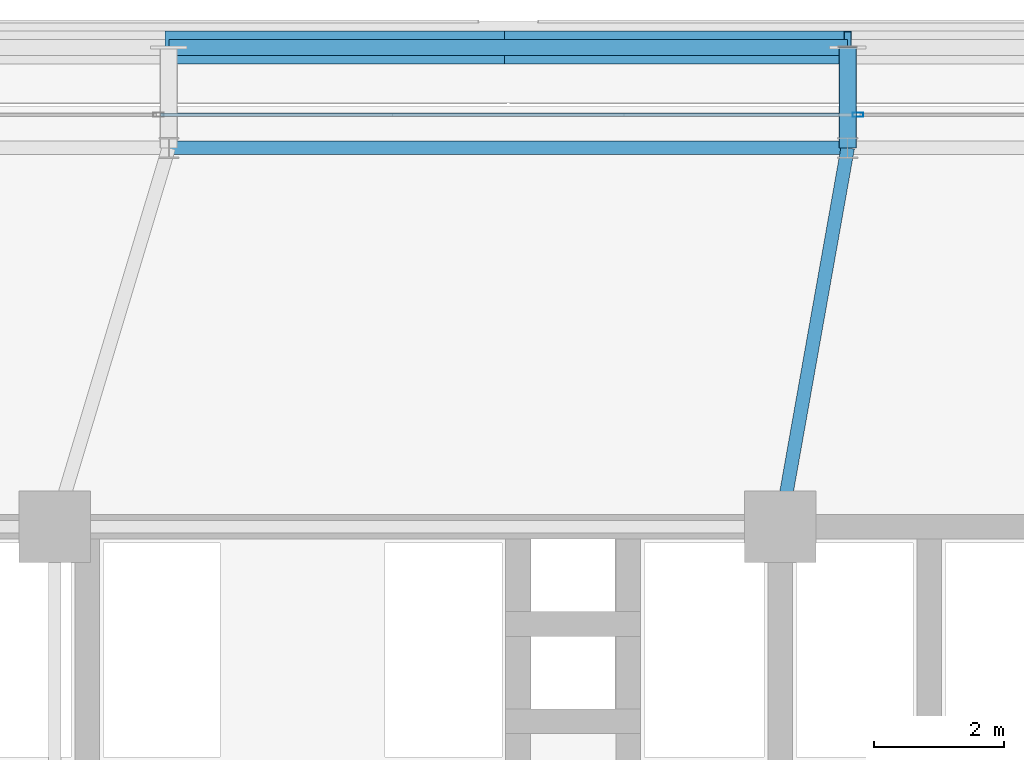
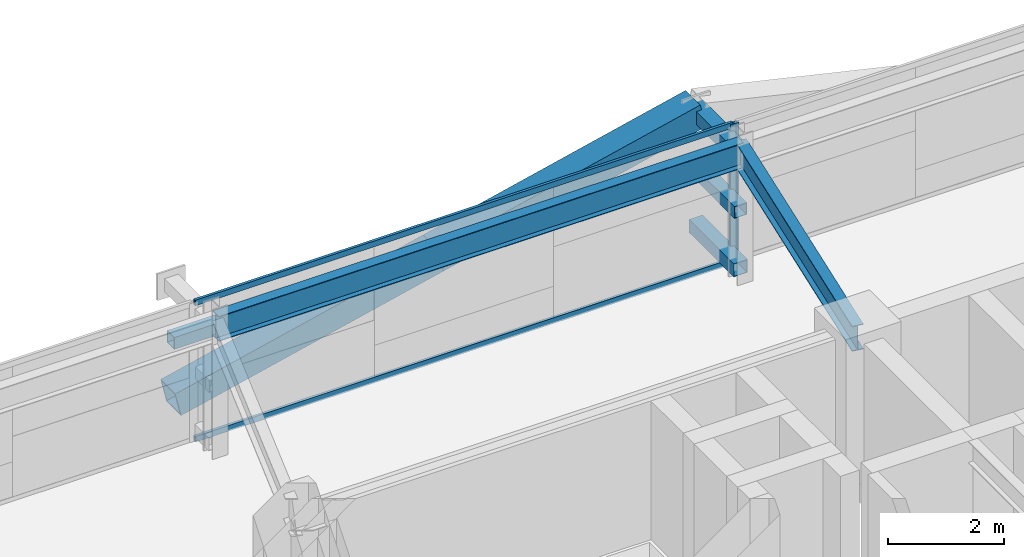
# One storey, part 28 of 56: 9 members, 2 beams, 1 element without a shape of its own.
"""IFC4 building model written with IfcOpenShell, lengths in metres."""

import ifcopenshell
import ifcopenshell.guid

model = None  # the IFC model being written
_history = None  # IfcOwnerHistory: only IFC2X3 demands one
_inside = {}  # id of a spatial element -> (the spatial element, [elements in it])
_under = {}  # id of a project, library or spatial element -> (it, [spatial elements below it])
_declared = {}  # id of a project -> (the project, [libraries it declares])
_typed = {}  # id of a type object -> (the type object, [elements of that type])
_made_of = {}  # id of a material, layer set ... -> (it, [elements and type objects made of it])


def new_model(schema):
    """Start an empty IFC model of exactly this schema.

    Asked for "IFC4X3", IfcOpenShell would pick the latest addendum, in which some entities
    have other attributes; the version numbers below select the first issue.
    IFC2X3 requires an IfcOwnerHistory on every rooted entity: one is made here for all.
    """
    global model, _history
    if schema == "IFC4X3":
        model = ifcopenshell.file(schema_version=(4, 3, 0, 0))
    else:
        model = ifcopenshell.file(schema=schema)
    _inside.clear()
    _under.clear()
    _declared.clear()
    _typed.clear()
    _made_of.clear()
    _history = None
    if model.schema == "IFC2X3":
        org = make("IfcOrganization", Name="unknown")
        user = make(
            "IfcPersonAndOrganization",
            ThePerson=make("IfcPerson", FamilyName="unknown"),
            TheOrganization=org,
        )
        app = make(
            "IfcApplication",
            ApplicationDeveloper=org,
            Version="unknown",
            ApplicationFullName="unknown",
            ApplicationIdentifier="unknown",
        )
        _history = make(
            "IfcOwnerHistory",
            OwningUser=user,
            OwningApplication=app,
            ChangeAction="ADDED",
            CreationDate=0,
        )
    return model


def make(cls, **values):
    """One entity of the class cls with the attributes given. An attribute that is None is left unset."""
    return model.create_entity(
        cls, **{name: value for name, value in values.items() if value is not None}
    )


def rooted(cls, **values):
    """An entity with a GlobalId (a new one), such as an element, a storey or a relation."""
    return make(cls, GlobalId=ifcopenshell.guid.new(), OwnerHistory=_history, **values)


def si_unit(unit_type, name, prefix=None):
    """IfcSIUnit, for example si_unit("LENGTHUNIT", "METRE", prefix="MILLI")."""
    return make("IfcSIUnit", UnitType=unit_type, Prefix=prefix, Name=name)


def assignment(units):
    """IfcUnitAssignment: the units of a project."""
    return None if units is None else make("IfcUnitAssignment", Units=units)


def point(xyz):
    """IfcCartesianPoint."""
    return None if xyz is None else make("IfcCartesianPoint", Coordinates=xyz)


def direction(xyz):
    """IfcDirection."""
    return None if xyz is None else make("IfcDirection", DirectionRatios=xyz)


def frame(location, z_axis=None, x_axis=None):
    """IfcAxis2Placement3D, a coordinate frame: its origin and axes. An axis left out is left unset."""
    return make(
        "IfcAxis2Placement3D",
        Location=point(location),
        Axis=direction(z_axis),
        RefDirection=direction(x_axis),
    )


def frame_2d(location, x_axis=None):
    """IfcAxis2Placement2D, a coordinate frame in the plane: its origin and x axis."""
    return make(
        "IfcAxis2Placement2D", Location=point(location), RefDirection=direction(x_axis)
    )


def origin():
    """The frame at (0, 0, 0) with its axes left unset."""
    return frame((0.0, 0.0, 0.0))


def origin_2d():
    """The frame at (0, 0) in the plane with its x axis left unset."""
    return frame_2d((0.0, 0.0))


def place(relative_to, where):
    """IfcLocalPlacement: puts the frame where relative to a parent placement (None: the world)."""
    return make(
        "IfcLocalPlacement", PlacementRelTo=relative_to, RelativePlacement=where
    )


def context(
    kind, dimensions, precision=None, world=None, true_north=None, identifier=None
):
    """IfcGeometricRepresentationContext, for example the 3D "Model" context."""
    return make(
        "IfcGeometricRepresentationContext",
        ContextIdentifier=identifier,
        ContextType=kind,
        CoordinateSpaceDimension=dimensions,
        Precision=precision,
        WorldCoordinateSystem=world,
        TrueNorth=true_north,
    )


def subcontext(parent, identifier, kind, view, scale=None):
    """IfcGeometricRepresentationSubContext, for example "Body" below "Model"."""
    return make(
        "IfcGeometricRepresentationSubContext",
        ContextIdentifier=identifier,
        ContextType=kind,
        ParentContext=parent,
        TargetScale=scale,
        TargetView=view,
    )


def project(units=None, contexts=None):
    """IfcProject with its units and contexts."""
    return rooted(
        "IfcProject",
        Name="project",
        RepresentationContexts=contexts,
        UnitsInContext=assignment(units),
    )


def spatial(cls, under=None, at=None, **own):
    """A site, building, storey or space (cls), placed at a placement, below another one or the project."""
    s = rooted(cls, ObjectPlacement=at, **own)
    if under is not None:
        _under.setdefault(under.id(), (under, []))[1].append(s)
    return s


def profile(cls, at=None, kind="AREA", **sizes):
    """A parametric profile (cls). Its sizes go by their IFC names, for example OverallWidth=200.0."""
    return make(cls, ProfileType=kind, Position=at, **sizes)


def hollow_rectangle(**sizes):
    """IfcRectangleHollowProfileDef."""
    return profile("IfcRectangleHollowProfileDef", **sizes)


def i_section(**sizes):
    """IfcIShapeProfileDef."""
    return profile("IfcIShapeProfileDef", **sizes)


def extrude(swept, where, along, depth):
    """IfcExtrudedAreaSolid: the profile swept, set in the frame where, extruded along a direction by depth."""
    return make(
        "IfcExtrudedAreaSolid",
        SweptArea=swept,
        Position=where,
        ExtrudedDirection=direction(along),
        Depth=depth,
    )


def shape(context_of_items, identifier, shape_type, items):
    """IfcShapeRepresentation: the items that make up one representation, for example the "Body"."""
    return make(
        "IfcShapeRepresentation",
        ContextOfItems=context_of_items,
        RepresentationIdentifier=identifier,
        RepresentationType=shape_type,
        Items=items,
    )


def source(mapping_origin, context_of_items, identifier, shape_type, items):
    """IfcRepresentationMap: a shape defined once, which mapped items show again and again."""
    return make(
        "IfcRepresentationMap",
        MappingOrigin=mapping_origin,
        MappedRepresentation=shape(context_of_items, identifier, shape_type, items),
    )


def transform(
    local_origin,
    x_axis=None,
    y_axis=None,
    z_axis=None,
    scale=None,
    scale2=None,
    scale3=None,
    uniform=True,
):
    """IfcCartesianTransformationOperator3D, or its non-uniform kind. x_axis, y_axis, z_axis: its Axis1, 2, 3."""
    if uniform:
        return make(
            "IfcCartesianTransformationOperator3D",
            Axis1=direction(x_axis),
            Axis2=direction(y_axis),
            LocalOrigin=point(local_origin),
            Scale=scale,
            Axis3=direction(z_axis),
        )
    return make(
        "IfcCartesianTransformationOperator3DnonUniform",
        Axis1=direction(x_axis),
        Axis2=direction(y_axis),
        LocalOrigin=point(local_origin),
        Scale=scale,
        Axis3=direction(z_axis),
        Scale2=scale2,
        Scale3=scale3,
    )


def mapped(mapping_source, mapping_target):
    """IfcMappedItem: shows the shape of a source again, moved by a transform."""
    return make(
        "IfcMappedItem", MappingSource=mapping_source, MappingTarget=mapping_target
    )


def material(Name=None, Category=None):
    """IfcMaterial."""
    return make("IfcMaterial", Name=Name, Category=Category)


def layer(
    of_material, thickness, ventilated=None, Name=None, Category=None, Priority=None
):
    """IfcMaterialLayer: one layer of a wall or slab, of a material (None: an air gap)."""
    return make(
        "IfcMaterialLayer",
        Material=of_material,
        LayerThickness=thickness,
        IsVentilated=ventilated,
        Name=Name,
        Category=Category,
        Priority=Priority,
    )


def layer_set(layers, Name=None):
    """IfcMaterialLayerSet."""
    return make("IfcMaterialLayerSet", MaterialLayers=layers, LayerSetName=Name)


def material_profile(
    of_material, cross_section, Name=None, Category=None, Priority=None
):
    """IfcMaterialProfile: a cross section and its material."""
    return make(
        "IfcMaterialProfile",
        Name=Name,
        Material=of_material,
        Profile=cross_section,
        Priority=Priority,
        Category=Category,
    )


def profile_set(profiles, Name=None, composite=None):
    """IfcMaterialProfileSet."""
    return make(
        "IfcMaterialProfileSet",
        Name=Name,
        MaterialProfiles=profiles,
        CompositeProfile=composite,
    )


def made_of(thing, what):
    """Note that an element or type object is made of a material, layer set ...; save() writes the relation."""
    if what is not None:
        _made_of.setdefault(what.id(), (what, []))[1].append(thing)
    return thing


def type_object(cls, material=None, **own):
    """A type object (cls), such as IfcWallType, which elements share."""
    return made_of(rooted(cls, **own), material)


def element(
    cls,
    number,
    at=None,
    inside=None,
    cuts=None,
    type_object=None,
    material=None,
    context=None,
    identifier="Body",
    shape_type=None,
    held_by="IfcProductDefinitionShape",
    body=None,
    shapes=None,
    **own,
):
    """One element of the class cls, such as IfcWall. Its Tag is "e" and its number.

    at: its placement. inside: the storey or other place that contains it. cuts: it is an
    opening in that element (IfcRelVoidsElement). A single representation is given by context,
    identifier, shape_type and body (its items); several are given by shapes. held_by: the class
    of the entity that holds the representations. save() writes the other relations.
    """
    e = rooted(cls, Tag="e%d" % number, ObjectPlacement=at, **own)
    if body is not None:
        shapes = [shape(context, identifier, shape_type, body)]
    if shapes is not None:
        e.Representation = make(held_by, Representations=shapes)
    if inside is not None:
        _inside.setdefault(inside.id(), (inside, []))[1].append(e)
    if cuts is not None:
        rooted(
            "IfcRelVoidsElement", RelatingBuildingElement=cuts, RelatedOpeningElement=e
        )
    if type_object is not None:
        _typed.setdefault(type_object.id(), (type_object, []))[1].append(e)
    return made_of(e, material)


def aggregate(whole, parts):
    """IfcRelAggregates: a whole, such as a stair, and the parts it consists of."""
    return rooted("IfcRelAggregates", RelatingObject=whole, RelatedObjects=parts)


def save(model, path):
    """Write the relations noted so far, then the file.

    IfcRelAggregates (storeys below a building ...), IfcRelContainedInSpatialStructure (elements
    in a storey), IfcRelDefinesByType, IfcRelAssociatesMaterial and IfcRelDeclares: one each for
    every whole, place, type object, material and project.
    """
    for whole, parts in _under.values():
        aggregate(whole, parts)
    for where, things in _inside.values():
        rooted(
            "IfcRelContainedInSpatialStructure",
            RelatedElements=things,
            RelatingStructure=where,
        )
    for kind, things in _typed.values():
        rooted("IfcRelDefinesByType", RelatedObjects=things, RelatingType=kind)
    for what, things in _made_of.values():
        rooted("IfcRelAssociatesMaterial", RelatedObjects=things, RelatingMaterial=what)
    for by, libraries in _declared.values():
        rooted("IfcRelDeclares", RelatingContext=by, RelatedDefinitions=libraries)
    model.write(path)


model = new_model("IFC4")

# Units and contexts
model_context = context("Model", 3, precision=1e-05, world=origin(), true_north=direction((0.0, 1.0)))
body_context = subcontext(model_context, "Body", "Model", "MODEL_VIEW")
ifc_project = project(units=[si_unit("LENGTHUNIT", "METRE"), si_unit("AREAUNIT", "SQUARE_METRE"), si_unit("VOLUMEUNIT", "CUBIC_METRE"), si_unit("PLANEANGLEUNIT", "RADIAN"), si_unit("MASSUNIT", "GRAM", prefix="KILO")], contexts=[model_context])

# Site, building, storey
site_placement = place(None, origin())
site = spatial("IfcSite", under=ifc_project, at=site_placement, CompositionType="ELEMENT")
building_placement = place(site_placement, origin())
building = spatial("IfcBuilding", under=site, at=building_placement, Name="Taldren Reach Tower", CompositionType="ELEMENT")
storey_placement = place(building_placement, frame((0.0, 0.0, 16.800048828125)))
storey = spatial("IfcBuildingStorey", under=building, at=storey_placement, Name="L04", CompositionType="ELEMENT", Elevation=16.800048828125)

# Beams
ifc_material_1 = material(Name="Steel Gr 350 (350PLUS)", Category="steel")
ifc_material_profile_1 = material_profile(ifc_material_1, i_section(OverallWidth=0.208984375, OverallDepth=0.528076171875, WebThickness=0.009521484375, FlangeThickness=0.01318359375, at=origin_2d()), Name="530UB82.0")
ifc_profile_set_1 = profile_set([ifc_material_profile_1], Name="Steel Gr 350 (350PLUS)")
beam_type_1 = type_object("IfcBeamType", Name="SP-UB530B", PredefinedType="SPANDREL", material=ifc_profile_set_1)
shared_shape_1 = source(origin(), body_context, "Body", "SweptSolid", [
    extrude(i_section(OverallWidth=0.208984375, OverallDepth=0.528076171875, WebThickness=0.009521484375, FlangeThickness=0.01318359375, at=origin_2d()), origin(), (0.0, 0.0, 1.0), 10.47998046875),
])
beam_1_placement = place(storey_placement, frame((40.239990234375, 37.85009765625, 2.666015625), z_axis=(-1.0, 0.0, 0.0), x_axis=(0.0, -1.0, 0.0)))
element("IfcBeam", 1, at=beam_1_placement, inside=storey, type_object=beam_type_1, Name="Perimeter spandrel B1 N4-N3 L04", PredefinedType="SPANDREL", context=body_context, shape_type="MappedRepresentation", body=[
    mapped(shared_shape_1, transform((0.0, 0.0, 0.0), scale=1.0)),
])
ifc_material_profile_2 = material_profile(ifc_material_1, i_section(OverallWidth=0.208984375, OverallDepth=0.532958984375, WebThickness=0.01025390625, FlangeThickness=0.015625, at=origin_2d()), Name="530UB92.4")
ifc_profile_set_2 = profile_set([ifc_material_profile_2], Name="Steel Gr 350 (350PLUS)")
beam_type_2 = type_object("IfcBeamType", Name="BM-UB530A", PredefinedType="BEAM", material=ifc_profile_set_2)
shared_shape_2 = source(origin(), body_context, "Body", "SweptSolid", [
    extrude(i_section(OverallWidth=0.208984375, OverallDepth=0.532958984375, WebThickness=0.01025390625, FlangeThickness=0.015625, at=origin_2d()), origin(), (0.0, 0.0, 1.0), 5.94189453125),
])
beam_2_placement = place(storey_placement, frame((39.199951171875, 32.0, 2.663330078125), z_axis=(0.17503687513, 0.984561878373, 0.0), x_axis=(-0.984561878373, 0.17503687513, 0.0)))
element("IfcBeam", 2, at=beam_2_placement, inside=storey, type_object=beam_type_2, Name="Primary floor girder B1-N4 L04", PredefinedType="BEAM", context=body_context, shape_type="MappedRepresentation", body=[
    mapped(shared_shape_2, transform((0.0, 0.0, 0.0), scale=1.0)),
])

# Members
ifc_material_2 = material(Name="Steel Gr 450 (C450L0)", Category="steel")
ifc_material_profile_3 = material_profile(ifc_material_2, hollow_rectangle(XDim=0.27490234375, YDim=0.27490234375, WallThickness=0.00927734375, at=origin_2d()), Name="275x275x9.3SHS")
ifc_profile_set_3 = profile_set([ifc_material_profile_3], Name="Steel Gr 450 (C450L0)")
member_type_1 = type_object("IfcMemberType", Name="MB-TIE273", PredefinedType="STRUT", material=ifc_profile_set_3)
shared_shape_3 = source(origin(), body_context, "Body", "SweptSolid", [
    extrude(hollow_rectangle(XDim=0.27490234375, YDim=0.27490234375, WallThickness=0.00927734375, at=origin_2d()), origin(), (0.0, 0.0, 1.0), 1.5498046875),
])
for number, where, z_axis, x_axis, name in (
    (3, (40.239990234375, 37.85009765625, 2.64990234375), (0.0, 1.0, 0.0), (-1.0, 0.0, 0.0), "Exoskeleton diaphragm tie strut B1-N4 L04"),
    (4, (40.239990234375, 37.85009765625, 0.219970703125), (0.0, 1.0, 0.0), (-1.0, 0.0, 0.0), "Exoskeleton base diaphragm tie strut B1-N4 L04"),
):
    element("IfcMember", number, at=place(storey_placement, frame(where, z_axis=z_axis, x_axis=x_axis)), inside=storey, type_object=member_type_1, Name=name, PredefinedType="STRUT", context=body_context, shape_type="MappedRepresentation", body=[
        mapped(shared_shape_3, transform((0.0, 0.0, 0.0), scale=1.0)),
    ])
ifc_material_profile_4 = material_profile(ifc_material_2, hollow_rectangle(XDim=0.510009765625, YDim=0.510009765625, WallThickness=0.02001953125, at=origin_2d()), Name="510x510x20.0SHS")
ifc_profile_set_4 = profile_set([ifc_material_profile_4], Name="Steel Gr 450 (C450L0)")
member_type_2 = type_object("IfcMemberType", Name="MB-EXO508", PredefinedType="BRACE", material=ifc_profile_set_4)
shared_shape_4 = source(origin(), body_context, "Body", "SweptSolid", [
    extrude(hollow_rectangle(XDim=0.510009765625, YDim=0.510009765625, WallThickness=0.02001953125, at=origin_2d()), origin(), (0.0, 0.0, 1.0), 5.37890625),
])
for number, where, z_axis, x_axis, name in (
    (5, (29.760009765625, 39.39990234375, 0.219970703125), (0.97415197996, 0.0, 0.225893603143), (0.0, 1.0, 0.0), "Exoskeleton Diagrid Brace B1-N3 L04"),
    (6, (35.0, 39.39990234375, 1.43505859375), (0.974161966843, 0.0, 0.225850531007), (0.0, 1.0, 0.0), "Exoskeleton Diagrid Brace B1-N3 L04"),
):
    element("IfcMember", number, at=place(storey_placement, frame(where, z_axis=z_axis, x_axis=x_axis)), inside=storey, type_object=member_type_2, Name=name, PredefinedType="BRACE", context=body_context, shape_type="MappedRepresentation", body=[
        mapped(shared_shape_4, transform((0.0, 0.0, 0.0), scale=1.0)),
    ])
ifc_material_3 = material(Name="Steel Gr 350 (C350L0)", Category="steel")
ifc_material_profile_5 = material_profile(ifc_material_3, hollow_rectangle(XDim=0.25, YDim=0.25, WallThickness=0.010009765625, at=origin_2d()), Name="250x250x10.0SHS")
ifc_profile_set_5 = profile_set([ifc_material_profile_5], Name="Steel Gr 350 (C350L0)")
member_type_3 = type_object("IfcMemberType", Name="MB-POST250", PredefinedType="POST", material=ifc_profile_set_5)
shared_shape_5 = source(origin(), body_context, "Body", "SweptSolid", [
    extrude(hollow_rectangle(XDim=0.25, YDim=0.25, WallThickness=0.010009765625, at=origin_2d()), origin(), (0.0, 0.0, 1.0), 10.47998046875),
])
member_1_placement = place(storey_placement, frame((29.760009765625, 39.39990234375, 1.43505859375), z_axis=(1.0, 0.0, 0.0), x_axis=(0.0, 1.0, 0.0)))
element("IfcMember", 7, at=member_1_placement, inside=storey, type_object=member_type_3, Name="Exoskeleton mid-height ring chord B1-N3 L04", PredefinedType="POST", context=body_context, shape_type="MappedRepresentation", body=[
    mapped(shared_shape_5, transform((0.0, 0.0, 0.0), scale=1.0)),
])
shared_shape_6 = source(origin(), body_context, "Body", "SweptSolid", [
    extrude(hollow_rectangle(XDim=0.25, YDim=0.25, WallThickness=0.010009765625, at=origin_2d()), origin(), (0.0, 0.0, 1.0), 1.5498046875),
])
member_2_placement = place(storey_placement, frame((40.239990234375, 37.85009765625, 1.43505859375), z_axis=(0.0, 1.0, 0.0), x_axis=(-1.0, 0.0, 0.0)))
element("IfcMember", 8, at=member_2_placement, inside=storey, type_object=member_type_3, Name="Exoskeleton mid-tier diaphragm tie B1-N4 L04", PredefinedType="POST", context=body_context, shape_type="MappedRepresentation", body=[
    mapped(shared_shape_6, transform((0.0, 0.0, 0.0), scale=1.0)),
])

# Curtain wall, members
ifc_material_4 = material(Name="Aluminium and Low-E Glass Unitised System", Category="aluminium")
ifc_layer = layer(ifc_material_4, 0.159912109375)
ifc_layer_set = layer_set([ifc_layer], Name="Aluminium and Low-E Glass Unitised System")
curtain_wall_type = type_object("IfcCurtainWallType", Name="CW-SYS-2", PredefinedType="NOTDEFINED", material=ifc_layer_set)
curtain_wall_placement = place(storey_placement, origin())
curtain_wall = element("IfcCurtainWall", 9, at=curtain_wall_placement, inside=storey, type_object=curtain_wall_type, Name="Unitised curtain wall CW-L04-N", PredefinedType="NOTDEFINED")
ifc_material_5 = material(Name="Anodised Aluminium 6063-T6", Category="aluminium")
ifc_material_profile_6 = material_profile(ifc_material_5, hollow_rectangle(XDim=0.06494140625, YDim=0.1650390625, WallThickness=0.00390625, at=origin_2d()), Name="ALU-165x65x4RHS")
ifc_profile_set_6 = profile_set([ifc_material_profile_6], Name="Anodised Aluminium 6063-T6")
member_type_4 = type_object("IfcMemberType", Name="CW-MUL-165", PredefinedType="MULLION", material=ifc_profile_set_6)
shared_shape_7 = source(origin(), body_context, "Body", "SweptSolid", [
    extrude(hollow_rectangle(XDim=0.06494140625, YDim=0.1650390625, WallThickness=0.00390625, at=origin_2d()), origin(), (0.0, 0.0, 1.0), 2.929931640625),
])
member_3_placement = place(storey_placement, frame((40.39990234375, 38.360107421875, 0.0), z_axis=(0.0, 0.0, 1.0), x_axis=(0.0, -1.0, 0.0)))
member_3 = element("IfcMember", 10, at=member_3_placement, type_object=member_type_4, Name="CW-2 mullion 3", PredefinedType="MULLION", context=body_context, shape_type="MappedRepresentation", body=[
    mapped(shared_shape_7, transform((0.0, 0.0, 0.0), scale=1.0)),
])
ifc_material_profile_7 = material_profile(ifc_material_5, hollow_rectangle(XDim=0.054931640625, YDim=0.1201171875, WallThickness=0.0029296875, at=origin_2d()), Name="ALU-120x55x3RHS")
ifc_profile_set_7 = profile_set([ifc_material_profile_7], Name="Anodised Aluminium 6063-T6")
member_type_5 = type_object("IfcMemberType", Name="CW-TRN-135", PredefinedType="USERDEFINED", material=ifc_profile_set_7)
shared_shape_8 = source(origin(), body_context, "Body", "SweptSolid", [
    extrude(hollow_rectangle(XDim=0.054931640625, YDim=0.1201171875, WallThickness=0.0029296875, at=origin_2d()), origin(), (0.0, 0.0, 1.0), 10.73486328125),
])
member_4_placement = place(storey_placement, frame((40.367431640625, 38.360107421875, 0.02734375), z_axis=(-1.0, 0.0, 0.0), x_axis=(0.0, -1.0, 0.0)))
member_4 = element("IfcMember", 11, at=member_4_placement, type_object=member_type_5, Name="CW-2 transom 3.1", ObjectType="TRANSOM", PredefinedType="USERDEFINED", context=body_context, shape_type="MappedRepresentation", body=[
    mapped(shared_shape_8, transform((0.0, 0.0, 0.0), scale=1.0)),
])
member_5_placement = place(storey_placement, frame((40.367431640625, 38.360107421875, 2.90234375), z_axis=(-1.0, 0.0, 0.0), x_axis=(0.0, -1.0, 0.0)))
member_5 = element("IfcMember", 12, at=member_5_placement, type_object=member_type_5, Name="CW-2 transom 3.2", ObjectType="TRANSOM", PredefinedType="USERDEFINED", context=body_context, shape_type="MappedRepresentation", body=[
    mapped(shared_shape_8, transform((0.0, 0.0, 0.0), scale=1.0)),
])
aggregate(curtain_wall, [member_3, member_4, member_5])

save(model, "model.ifc")
